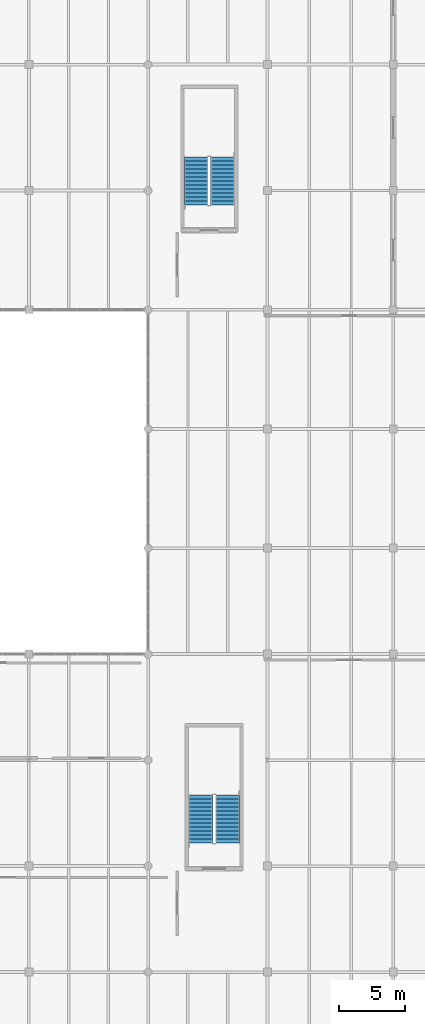
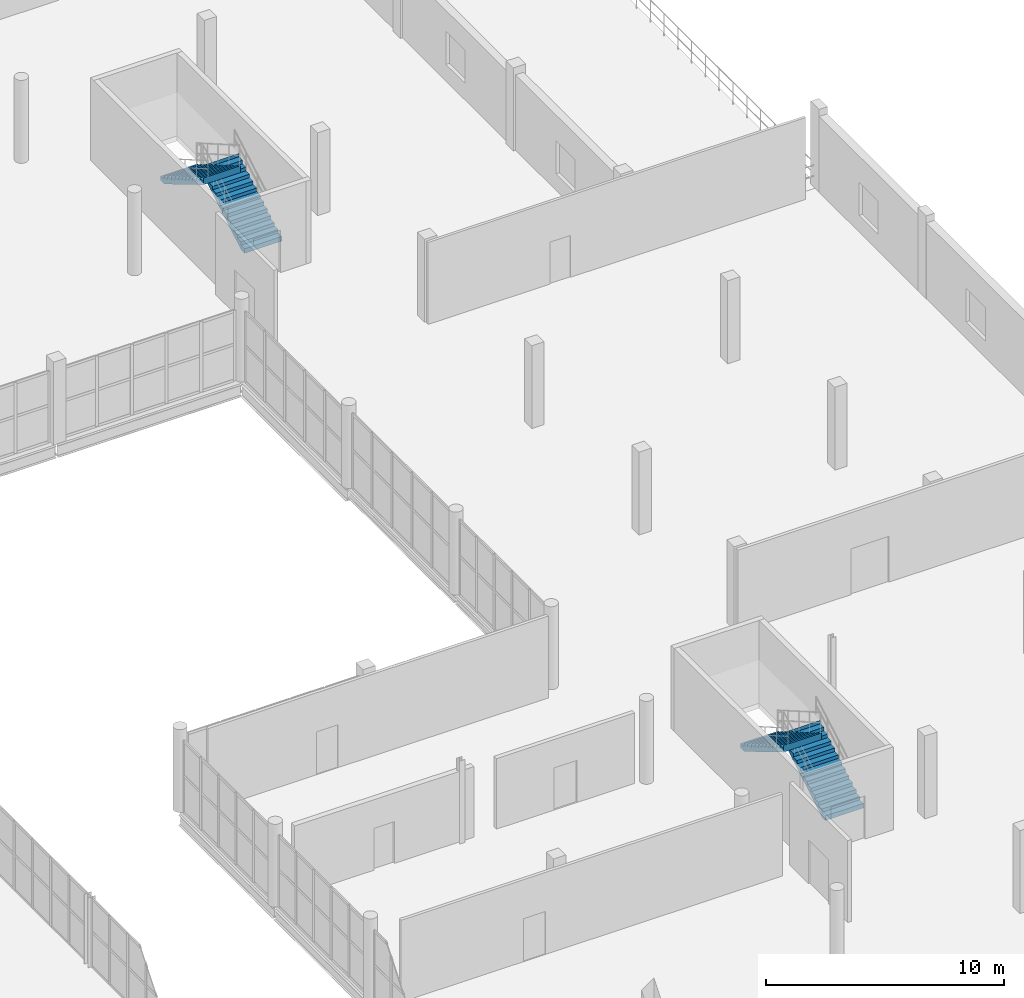
# One storey, part 61 of 73: 4 stair flights, 2 elements without a shape of their own.
"""IFC4 building model written with IfcOpenShell, lengths in metres."""

from ifc_helpers import new_model, si_unit, direction, frame, origin, place, context, subcontext, project, spatial, polyline, outline, extrude, material, type_object, element, aggregate, save


model = new_model("IFC4")

# Units and contexts
model_context = context("Model", 3, precision=1e-05, world=origin(), true_north=direction((0.0, 1.0)))
body_context = subcontext(model_context, "Body", "Model", "MODEL_VIEW")
ifc_project = project(units=[si_unit("LENGTHUNIT", "METRE"), si_unit("AREAUNIT", "SQUARE_METRE"), si_unit("VOLUMEUNIT", "CUBIC_METRE"), si_unit("PLANEANGLEUNIT", "RADIAN"), si_unit("MASSUNIT", "GRAM", prefix="KILO")], contexts=[model_context])

# Site, building, storey
site_placement = place(None, origin())
site = spatial("IfcSite", under=ifc_project, at=site_placement, CompositionType="ELEMENT")
building_placement = place(site_placement, origin())
building = spatial("IfcBuilding", under=site, at=building_placement, Name="Marnock Terrace Opera House", CompositionType="ELEMENT")
storey_placement = place(building_placement, frame((0.0, 0.0, 14.699951171875)))
storey = spatial("IfcBuildingStorey", under=building, at=storey_placement, Name="L03", CompositionType="ELEMENT", Elevation=14.699951171875)

# Stair, stair flights
ifc_material = material(Name="Concrete N40 (f'c = 40 MPa)", Category="concrete")
stair_type_1 = type_object("IfcStairType", Name="ST-TYPE-2000", PredefinedType="HALF_TURN_STAIR", material=ifc_material)
stair_1_placement = place(storey_placement, origin())
stair_1 = element("IfcStair", 1, at=stair_1_placement, inside=storey, type_object=stair_type_1, Name="L03 ST-08", PredefinedType="HALF_TURN_STAIR")
stair_flight_type_1 = type_object("IfcStairFlightType", Name="FLT-TYPE-2000", PredefinedType="STRAIGHT", material=ifc_material)
stair_flight_1_placement = place(storey_placement, frame((141.6201171875, 73.919921875, 0.0), z_axis=(0.0, 0.0, 1.0), x_axis=(0.0, 1.0, 0.0)))
stair_flight_1 = element("IfcStairFlight", 2, at=stair_flight_1_placement, type_object=stair_flight_type_1, Name="ST-08 flight 1", NumberOfRisers=13, NumberOfTreads=12, PredefinedType="STRAIGHT", RiserHeight=0.173076923, TreadLength=0.3, context=body_context, shape_type="SweptSolid", body=[
    extrude(outline(polyline([(-0.00048828125, -0.06005859375), (-0.00048828125, 0.0), (0.0, 0.0), (0.0, 0.173095703125), (0.300048828125, 0.173095703125), (0.300048828125, 0.34619140625), (0.60009765625, 0.34619140625), (0.60009765625, 0.519287109375), (0.89990234375, 0.519287109375), (0.89990234375, 0.6923828125), (1.199951171875, 0.6923828125), (1.199951171875, 0.865478515625), (1.5, 0.865478515625), (1.5, 1.03857421875), (1.800048828125, 1.03857421875), (1.800048828125, 1.21142578125), (2.10009765625, 1.21142578125), (2.10009765625, 1.384521484375), (2.39990234375, 1.384521484375), (2.39990234375, 1.5576171875), (2.699951171875, 1.5576171875), (2.699951171875, 1.730712890625), (3.0, 1.730712890625), (3.0, 1.90380859375), (3.300048828125, 1.90380859375), (3.300048828125, 2.076904296875), (3.60009765625, 2.076904296875), (3.60009765625, 2.25), (3.6005859375, 2.25), (3.6005859375, 1.90380859375), (3.60009765625, 1.90380859375), (0.300048828125, -0.06005859375), (-0.00048828125, -0.06005859375)])), frame((0.0, 0.89990234375, 0.0), z_axis=(0.0, -1.0, 0.0), x_axis=(1.0, 0.0, 0.0)), (0.0, 0.0, 1.0), 1.800048828125),
])
stair_flight_2_placement = place(storey_placement, frame((139.6201171875, 77.52001953125, 2.25), z_axis=(0.0, 0.0, 1.0), x_axis=(0.0, -1.0, 0.0)))
stair_flight_2 = element("IfcStairFlight", 3, at=stair_flight_2_placement, type_object=stair_flight_type_1, Name="ST-08 flight 2", NumberOfRisers=13, NumberOfTreads=12, PredefinedType="STRAIGHT", RiserHeight=0.173076923, TreadLength=0.3, context=body_context, shape_type="SweptSolid", body=[
    extrude(outline(polyline([(-0.00048828125, -0.06005859375), (-0.00048828125, 0.0), (0.0, 0.0), (0.0, 0.173095703125), (0.300048828125, 0.173095703125), (0.300048828125, 0.34619140625), (0.60009765625, 0.34619140625), (0.60009765625, 0.519287109375), (0.89990234375, 0.519287109375), (0.89990234375, 0.6923828125), (1.199951171875, 0.6923828125), (1.199951171875, 0.865478515625), (1.5, 0.865478515625), (1.5, 1.03857421875), (1.800048828125, 1.03857421875), (1.800048828125, 1.21142578125), (2.10009765625, 1.21142578125), (2.10009765625, 1.384521484375), (2.39990234375, 1.384521484375), (2.39990234375, 1.5576171875), (2.699951171875, 1.5576171875), (2.699951171875, 1.730712890625), (3.0, 1.730712890625), (3.0, 1.90380859375), (3.300048828125, 1.90380859375), (3.300048828125, 2.076904296875), (3.60009765625, 2.076904296875), (3.60009765625, 2.25), (3.6005859375, 2.25), (3.6005859375, 1.90380859375), (3.60009765625, 1.90380859375), (0.300048828125, -0.06005859375), (-0.00048828125, -0.06005859375)])), frame((0.0, 0.89990234375, 0.0), z_axis=(0.0, -1.0, 0.0), x_axis=(1.0, 0.0, 0.0)), (0.0, 0.0, 1.0), 1.800048828125),
])
aggregate(stair_1, [stair_flight_1, stair_flight_2])

stair_type_2 = type_object("IfcStairType", Name="ST-TYPE-2200", PredefinedType="HALF_TURN_STAIR", material=ifc_material)
stair_2_placement = place(storey_placement, origin())
stair_2 = element("IfcStair", 4, at=stair_2_placement, inside=storey, type_object=stair_type_2, Name="L03 ST-06", PredefinedType="HALF_TURN_STAIR")
stair_flight_type_2 = type_object("IfcStairFlightType", Name="FLT-TYPE-2200", PredefinedType="STRAIGHT", material=ifc_material)
stair_flight_3_placement = place(storey_placement, frame((142.0, 25.760009765625, 0.0), z_axis=(0.0, 0.0, 1.0), x_axis=(0.0, 1.0, 0.0)))
stair_flight_3 = element("IfcStairFlight", 5, at=stair_flight_3_placement, type_object=stair_flight_type_2, Name="ST-06 flight 1", NumberOfRisers=13, NumberOfTreads=12, PredefinedType="STRAIGHT", RiserHeight=0.173076923, TreadLength=0.3, context=body_context, shape_type="SweptSolid", body=[
    extrude(outline(polyline([(-0.00048828125, -0.06005859375), (-0.00048828125, 0.0), (0.0, 0.0), (0.0, 0.173095703125), (0.300048828125, 0.173095703125), (0.300048828125, 0.34619140625), (0.60009765625, 0.34619140625), (0.60009765625, 0.519287109375), (0.89990234375, 0.519287109375), (0.89990234375, 0.6923828125), (1.199951171875, 0.6923828125), (1.199951171875, 0.865478515625), (1.5, 0.865478515625), (1.5, 1.03857421875), (1.800048828125, 1.03857421875), (1.800048828125, 1.21142578125), (2.10009765625, 1.21142578125), (2.10009765625, 1.384521484375), (2.39990234375, 1.384521484375), (2.39990234375, 1.5576171875), (2.699951171875, 1.5576171875), (2.699951171875, 1.730712890625), (3.0, 1.730712890625), (3.0, 1.90380859375), (3.300048828125, 1.90380859375), (3.300048828125, 2.076904296875), (3.60009765625, 2.076904296875), (3.60009765625, 2.25), (3.6005859375, 2.25), (3.6005859375, 1.90380859375), (3.60009765625, 1.90380859375), (0.300048828125, -0.06005859375), (-0.00048828125, -0.06005859375)])), frame((0.0, 0.919921875, 0.0), z_axis=(0.0, -1.0, 0.0), x_axis=(1.0, 0.0, 0.0)), (0.0, 0.0, 1.0), 1.840087890625),
])
stair_flight_4_placement = place(storey_placement, frame((139.9599609375, 29.360107421875, 2.25), z_axis=(0.0, 0.0, 1.0), x_axis=(0.0, -1.0, 0.0)))
stair_flight_4 = element("IfcStairFlight", 6, at=stair_flight_4_placement, type_object=stair_flight_type_2, Name="ST-06 flight 2", NumberOfRisers=13, NumberOfTreads=12, PredefinedType="STRAIGHT", RiserHeight=0.173076923, TreadLength=0.3, context=body_context, shape_type="SweptSolid", body=[
    extrude(outline(polyline([(-0.00048828125, -0.06005859375), (-0.00048828125, 0.0), (0.0, 0.0), (0.0, 0.173095703125), (0.300048828125, 0.173095703125), (0.300048828125, 0.34619140625), (0.60009765625, 0.34619140625), (0.60009765625, 0.519287109375), (0.89990234375, 0.519287109375), (0.89990234375, 0.6923828125), (1.199951171875, 0.6923828125), (1.199951171875, 0.865478515625), (1.5, 0.865478515625), (1.5, 1.03857421875), (1.800048828125, 1.03857421875), (1.800048828125, 1.21142578125), (2.10009765625, 1.21142578125), (2.10009765625, 1.384521484375), (2.39990234375, 1.384521484375), (2.39990234375, 1.5576171875), (2.699951171875, 1.5576171875), (2.699951171875, 1.730712890625), (3.0, 1.730712890625), (3.0, 1.90380859375), (3.300048828125, 1.90380859375), (3.300048828125, 2.076904296875), (3.60009765625, 2.076904296875), (3.60009765625, 2.25), (3.6005859375, 2.25), (3.6005859375, 1.90380859375), (3.60009765625, 1.90380859375), (0.300048828125, -0.06005859375), (-0.00048828125, -0.06005859375)])), frame((0.0, 0.919921875, 0.0), z_axis=(0.0, -1.0, 0.0), x_axis=(1.0, 0.0, 0.0)), (0.0, 0.0, 1.0), 1.840087890625),
])
aggregate(stair_2, [stair_flight_3, stair_flight_4])

save(model, "model.ifc")
